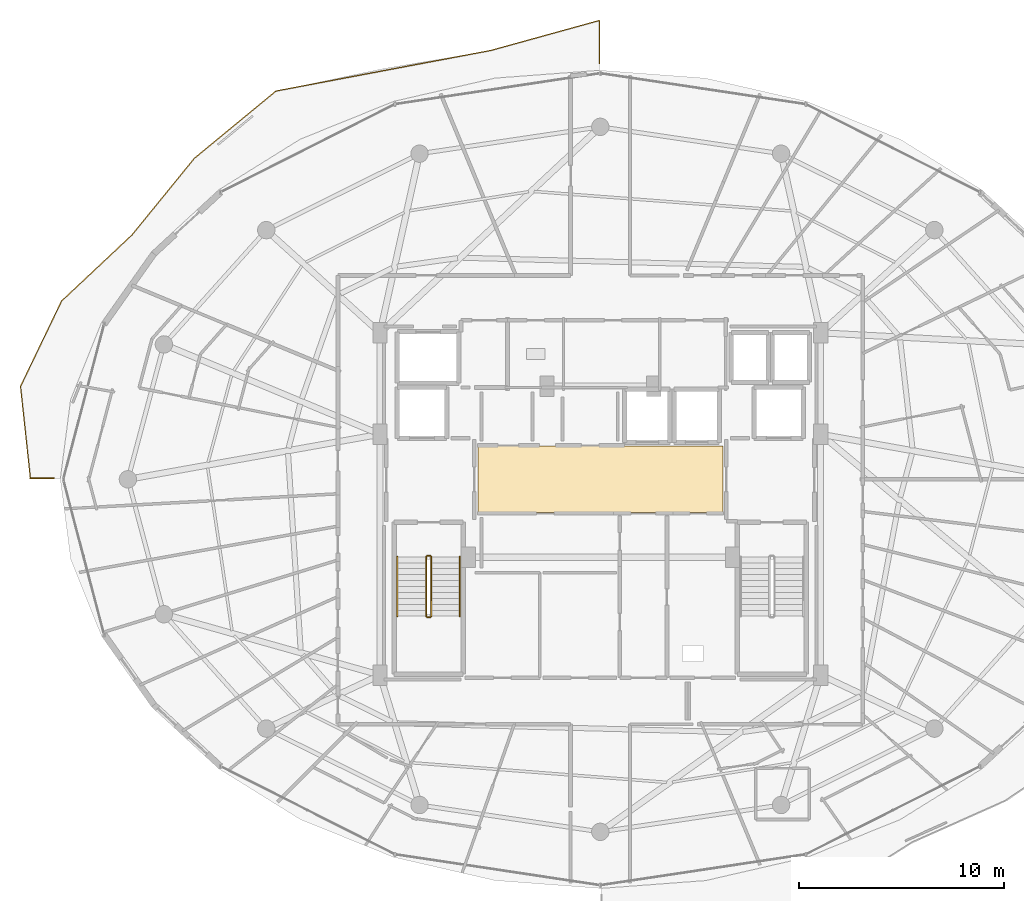
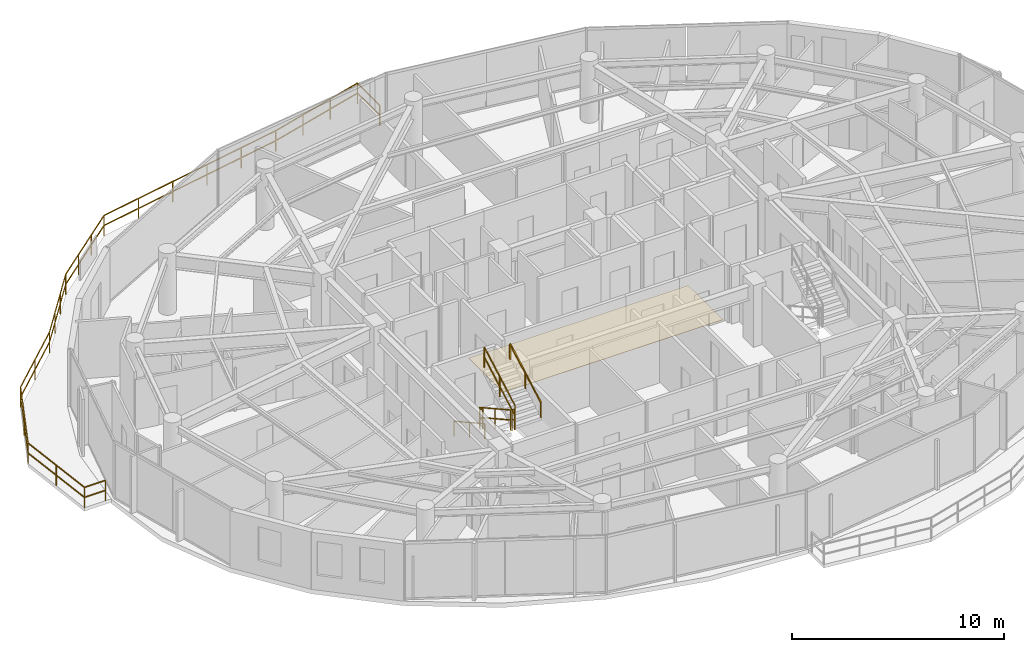
# One storey, part 27 of 30: 8 railings, 1 covering.
"""IFC4 building model written with IfcOpenShell, lengths in metres."""

from ifc_helpers import new_model, si_unit, direction, frame, origin, origin_2d, place, context, subcontext, project, spatial, polyline, rectangle, outline, extrude, material, layer, layer_set, type_object, element, save


model = new_model("IFC4")

# Units and contexts
model_context = context("Model", 3, precision=1e-05, world=origin(), true_north=direction((0.0, 1.0)))
body_context = subcontext(model_context, "Body", "Model", "MODEL_VIEW")
ifc_project = project(units=[si_unit("LENGTHUNIT", "METRE"), si_unit("AREAUNIT", "SQUARE_METRE"), si_unit("VOLUMEUNIT", "CUBIC_METRE"), si_unit("PLANEANGLEUNIT", "RADIAN"), si_unit("MASSUNIT", "GRAM", prefix="KILO")], contexts=[model_context])

# Site, building, storey
site_placement = place(None, origin())
site = spatial("IfcSite", under=ifc_project, at=site_placement, CompositionType="ELEMENT")
building_placement = place(site_placement, origin())
building = spatial("IfcBuilding", under=site, at=building_placement, Name="Vorneva Point Tower", CompositionType="ELEMENT")
storey_placement = place(building_placement, frame((0.0, 0.0, 262.64990234375)))
storey = spatial("IfcBuildingStorey", under=building, at=storey_placement, Name="L71", CompositionType="ELEMENT", Elevation=262.64990234375)

# Covering
ifc_material_1 = material(Name="Acoustic wool hospitality carpet", Category="textile")
ifc_layer = layer(ifc_material_1, 0.01806640625)
ifc_layer_set = layer_set([ifc_layer], Name="Acoustic wool hospitality carpet")
covering_type = type_object("IfcCoveringType", Name="COV-FLR-CRP", PredefinedType="FLOORING", material=ifc_layer_set)
covering_placement = place(storey_placement, frame((0.0, 0.0, -0.0048828125)))
element("IfcCovering", 1, at=covering_placement, inside=storey, type_object=covering_type, Name="L71 Lift Lobby Floor Finish", PredefinedType="FLOORING", context=body_context, shape_type="SweptSolid", body=[
    extrude(outline(polyline([(32.02001953125, 24.3701171875), (43.97998046875, 24.3701171875), (43.97998046875, 27.6298828125), (32.02001953125, 27.6298828125), (32.02001953125, 24.3701171875)])), origin(), (0.0, 0.0, 1.0), 0.02294921875),
])

# Railings
ifc_material_2 = material(Name="Pale anodised aluminium", Category="aluminium")
railing_type_1 = type_object("IfcRailingType", Name="RL-BAL-1200", PredefinedType="BALUSTRADE", material=ifc_material_2)
railing_1_placement = place(storey_placement, frame((10.189697265625, 26.050048828125, 0.0)))
element("IfcRailing", 2, at=railing_1_placement, inside=storey, type_object=railing_type_1, Name="L71 Wave Balcony Balustrade NW.1", PredefinedType="BALUSTRADE", context=body_context, shape_type="SweptSolid", body=[
    extrude(rectangle(XDim=0.048095703125, YDim=0.048095703125, at=origin_2d()), frame((0.0, 0.0, 1.17578125), z_axis=(1.0, 0.0, 0.0), x_axis=(0.0, 1.0, 0.0)), (0.0, 0.0, 1.0), 1.14404296875),
    extrude(rectangle(XDim=0.048095703125, YDim=0.048095703125, at=origin_2d()), frame((0.0, 0.0, 0.60009765625), z_axis=(1.0, 0.0, 0.0), x_axis=(0.0, 1.0, 0.0)), (0.0, 0.0, 1.0), 1.14404296875),
    extrude(rectangle(XDim=0.0419921875, YDim=0.0419921875, at=origin_2d()), origin(), (0.0, 0.0, 1.0), 1.15185546875),
    extrude(rectangle(XDim=0.0419921875, YDim=0.0419921875, at=origin_2d()), frame((1.14404296875, 0.0, 0.0)), (0.0, 0.0, 1.0), 1.15185546875),
])
railing_2_placement = place(storey_placement, frame((37.949951171875, 46.277099609375, 0.0)))
element("IfcRailing", 3, at=railing_2_placement, inside=storey, type_object=railing_type_1, Name="L71 Wave Balcony Balustrade NW.2", PredefinedType="BALUSTRADE", context=body_context, shape_type="SweptSolid", body=[
    extrude(rectangle(XDim=0.048095703125, YDim=0.048095703125, at=origin_2d()), frame((0.0, 0.0, 1.17578125), z_axis=(0.0, 1.0, 0.0), x_axis=(-1.0, 0.0, 0.0)), (0.0, 0.0, 1.0), 2.114013671875),
    extrude(rectangle(XDim=0.048095703125, YDim=0.048095703125, at=origin_2d()), frame((0.0, 0.0, 0.60009765625), z_axis=(0.0, 1.0, 0.0), x_axis=(-1.0, 0.0, 0.0)), (0.0, 0.0, 1.0), 2.114013671875),
    extrude(rectangle(XDim=0.048095703125, YDim=0.048095703125, at=origin_2d()), frame((0.0, 2.114013671875, 1.17578125), z_axis=(-0.963928150656, -0.266162582594, 0.0), x_axis=(0.266162582594, -0.963928150656, 0.0)), (0.0, 0.0, 1.0), 5.49267578125),
    extrude(rectangle(XDim=0.048095703125, YDim=0.048095703125, at=origin_2d()), frame((0.0, 2.114013671875, 0.60009765625), z_axis=(-0.963928150656, -0.266162582594, 0.0), x_axis=(0.266162582594, -0.963928150656, 0.0)), (0.0, 0.0, 1.0), 5.49267578125),
    extrude(rectangle(XDim=0.048095703125, YDim=0.048095703125, at=origin_2d()), frame((-5.29443359375, 0.652099609375, 1.17578125), z_axis=(-0.982621597908, -0.185620029427, 0.0), x_axis=(0.185620029427, -0.982621597908, 0.0)), (0.0, 0.0, 1.0), 10.6708984375),
    extrude(rectangle(XDim=0.048095703125, YDim=0.048095703125, at=origin_2d()), frame((-5.29443359375, 0.652099609375, 0.60009765625), z_axis=(-0.982621597908, -0.185620029427, 0.0), x_axis=(0.185620029427, -0.982621597908, 0.0)), (0.0, 0.0, 1.0), 10.6708984375),
    extrude(rectangle(XDim=0.048095703125, YDim=0.048095703125, at=origin_2d()), frame((-15.77978515625, -1.32861328125, 1.17578125), z_axis=(-0.771678755272, -0.636012498825, 0.0), x_axis=(0.636012498825, -0.771678755272, 0.0)), (0.0, 0.0, 1.0), 5.157470703125),
    extrude(rectangle(XDim=0.048095703125, YDim=0.048095703125, at=origin_2d()), frame((-15.77978515625, -1.32861328125, 0.60009765625), z_axis=(-0.771678755272, -0.636012498825, 0.0), x_axis=(0.636012498825, -0.771678755272, 0.0)), (0.0, 0.0, 1.0), 5.157470703125),
    extrude(rectangle(XDim=0.048095703125, YDim=0.048095703125, at=origin_2d()), frame((-19.759765625, -4.60888671875, 1.17578125), z_axis=(-0.631285549874, -0.77555048483, 0.0), x_axis=(0.77555048483, -0.631285549874, 0.0)), (0.0, 0.0, 1.0), 4.826416015625),
    extrude(rectangle(XDim=0.048095703125, YDim=0.048095703125, at=origin_2d()), frame((-19.759765625, -4.60888671875, 0.60009765625), z_axis=(-0.631285549874, -0.77555048483, 0.0), x_axis=(0.77555048483, -0.631285549874, 0.0)), (0.0, 0.0, 1.0), 4.826416015625),
    extrude(rectangle(XDim=0.048095703125, YDim=0.048095703125, at=origin_2d()), frame((-22.806640625, -8.35205078125, 1.17578125), z_axis=(-0.729149057103, -0.684354917076, 0.0), x_axis=(0.684354917076, -0.729149057103, 0.0)), (0.0, 0.0, 1.0), 4.708984375),
    extrude(rectangle(XDim=0.048095703125, YDim=0.048095703125, at=origin_2d()), frame((-22.806640625, -8.35205078125, 0.60009765625), z_axis=(-0.729149057103, -0.684354917076, 0.0), x_axis=(0.684354917076, -0.729149057103, 0.0)), (0.0, 0.0, 1.0), 4.708984375),
    extrude(rectangle(XDim=0.048095703125, YDim=0.048095703125, at=origin_2d()), frame((-26.240234375, -11.57470703125, 1.17578125), z_axis=(-0.433277106533, -0.90126075525, 0.0), x_axis=(0.90126075525, -0.433277106533, 0.0)), (0.0, 0.0, 1.0), 4.62158203125),
    extrude(rectangle(XDim=0.048095703125, YDim=0.048095703125, at=origin_2d()), frame((-26.240234375, -11.57470703125, 0.60009765625), z_axis=(-0.433277106533, -0.90126075525, 0.0), x_axis=(0.90126075525, -0.433277106533, 0.0)), (0.0, 0.0, 1.0), 4.62158203125),
    extrude(rectangle(XDim=0.048095703125, YDim=0.048095703125, at=origin_2d()), frame((-28.24267578125, -15.739990234375, 1.17578125), z_axis=(0.106897954968, -0.994269997145, 0.0), x_axis=(0.994269997145, 0.106897954968, 0.0)), (0.0, 0.0, 1.0), 4.512939453125),
    extrude(rectangle(XDim=0.048095703125, YDim=0.048095703125, at=origin_2d()), frame((-28.24267578125, -15.739990234375, 0.60009765625), z_axis=(0.106897954968, -0.994269997145, 0.0), x_axis=(0.994269997145, 0.106897954968, 0.0)), (0.0, 0.0, 1.0), 4.512939453125),
    extrude(rectangle(XDim=0.0419921875, YDim=0.0419921875, at=origin_2d()), origin(), (0.0, 0.0, 1.0), 1.15185546875),
    extrude(rectangle(XDim=0.0419921875, YDim=0.0419921875, at=origin_2d()), frame((0.0, 2.114013671875, 0.0)), (0.0, 0.0, 1.0), 1.15185546875),
    extrude(rectangle(XDim=0.0419921875, YDim=0.0419921875, at=origin_2d()), frame((-1.764892578125, 1.626708984375, 0.0)), (0.0, 0.0, 1.0), 1.15185546875),
    extrude(rectangle(XDim=0.0419921875, YDim=0.0419921875, at=origin_2d()), frame((-3.529541015625, 1.139404296875, 0.0)), (0.0, 0.0, 1.0), 1.15185546875),
    extrude(rectangle(XDim=0.0419921875, YDim=0.0419921875, at=origin_2d()), frame((-5.29443359375, 0.652099609375, 0.0)), (0.0, 0.0, 1.0), 1.15185546875),
    extrude(rectangle(XDim=0.0419921875, YDim=0.0419921875, at=origin_2d()), frame((-7.3916015625, 0.255859375, 0.0)), (0.0, 0.0, 1.0), 1.15185546875),
    extrude(rectangle(XDim=0.0419921875, YDim=0.0419921875, at=origin_2d()), frame((-9.488525390625, -0.14013671875, 0.0)), (0.0, 0.0, 1.0), 1.15185546875),
    extrude(rectangle(XDim=0.0419921875, YDim=0.0419921875, at=origin_2d()), frame((-11.585693359375, -0.536376953125, 0.0)), (0.0, 0.0, 1.0), 1.15185546875),
    extrude(rectangle(XDim=0.0419921875, YDim=0.0419921875, at=origin_2d()), frame((-13.6826171875, -0.932373046875, 0.0)), (0.0, 0.0, 1.0), 1.15185546875),
    extrude(rectangle(XDim=0.0419921875, YDim=0.0419921875, at=origin_2d()), frame((-15.77978515625, -1.32861328125, 0.0)), (0.0, 0.0, 1.0), 1.15185546875),
    extrude(rectangle(XDim=0.0419921875, YDim=0.0419921875, at=origin_2d()), frame((-17.1064453125, -2.422119140625, 0.0)), (0.0, 0.0, 1.0), 1.15185546875),
    extrude(rectangle(XDim=0.0419921875, YDim=0.0419921875, at=origin_2d()), frame((-18.43310546875, -3.515380859375, 0.0)), (0.0, 0.0, 1.0), 1.15185546875),
    extrude(rectangle(XDim=0.0419921875, YDim=0.0419921875, at=origin_2d()), frame((-19.759765625, -4.60888671875, 0.0)), (0.0, 0.0, 1.0), 1.15185546875),
    extrude(rectangle(XDim=0.0419921875, YDim=0.0419921875, at=origin_2d()), frame((-20.775390625, -5.856689453125, 0.0)), (0.0, 0.0, 1.0), 1.15185546875),
    extrude(rectangle(XDim=0.0419921875, YDim=0.0419921875, at=origin_2d()), frame((-21.791015625, -7.104248046875, 0.0)), (0.0, 0.0, 1.0), 1.15185546875),
    extrude(rectangle(XDim=0.0419921875, YDim=0.0419921875, at=origin_2d()), frame((-22.806640625, -8.35205078125, 0.0)), (0.0, 0.0, 1.0), 1.15185546875),
    extrude(rectangle(XDim=0.0419921875, YDim=0.0419921875, at=origin_2d()), frame((-24.5234375, -9.96337890625, 0.0)), (0.0, 0.0, 1.0), 1.15185546875),
    extrude(rectangle(XDim=0.0419921875, YDim=0.0419921875, at=origin_2d()), frame((-26.240234375, -11.57470703125, 0.0)), (0.0, 0.0, 1.0), 1.15185546875),
    extrude(rectangle(XDim=0.0419921875, YDim=0.0419921875, at=origin_2d()), frame((-27.241455078125, -13.6572265625, 0.0)), (0.0, 0.0, 1.0), 1.15185546875),
    extrude(rectangle(XDim=0.0419921875, YDim=0.0419921875, at=origin_2d()), frame((-28.24267578125, -15.739990234375, 0.0)), (0.0, 0.0, 1.0), 1.15185546875),
    extrude(rectangle(XDim=0.0419921875, YDim=0.0419921875, at=origin_2d()), frame((-28.00146484375, -17.9833984375, 0.0)), (0.0, 0.0, 1.0), 1.15185546875),
    extrude(rectangle(XDim=0.0419921875, YDim=0.0419921875, at=origin_2d()), frame((-27.76025390625, -20.22705078125, 0.0)), (0.0, 0.0, 1.0), 1.15185546875),
])
ifc_material_3 = material(Name="Brushed stainless steel S304", Category="steel")
railing_type_2 = type_object("IfcRailingType", Name="RL-HND-920", PredefinedType="HANDRAIL", material=ifc_material_3)
railing_3_placement = place(storey_placement, frame((28.10009765625, 22.219970703125, 0.161376953125)))
element("IfcRailing", 4, at=railing_3_placement, inside=storey, type_object=railing_type_2, Name="L71 ST1 stair handrail 1", PredefinedType="HANDRAIL", context=body_context, shape_type="SweptSolid", body=[
    extrude(rectangle(XDim=0.048095703125, YDim=0.048095703125, at=origin_2d()), frame((0.0, 0.0, 0.8759765625), z_axis=(0.0, -0.873810046276, 0.486267419253), x_axis=(1.0, 0.0, 0.0)), (0.0, 0.0, 1.0), 3.318603515625),
    extrude(rectangle(XDim=0.0419921875, YDim=0.0419921875, at=origin_2d()), origin(), (0.0, 0.0, 1.0), 0.851806640625),
    extrude(rectangle(XDim=0.0419921875, YDim=0.0419921875, at=origin_2d()), frame((0.0, -1.449951171875, 0.806884765625)), (0.0, 0.0, 1.0), 0.851806640625),
    extrude(rectangle(XDim=0.0419921875, YDim=0.0419921875, at=origin_2d()), frame((0.0, -2.89990234375, 1.61376953125)), (0.0, 0.0, 1.0), 0.851806640625),
])
railing_4_placement = place(storey_placement, frame((31.14990234375, 19.320068359375, 1.9365234375)))
element("IfcRailing", 5, at=railing_4_placement, inside=storey, type_object=railing_type_2, Name="L71 ST1 stair handrail 2", PredefinedType="HANDRAIL", context=body_context, shape_type="SweptSolid", body=[
    extrude(rectangle(XDim=0.048095703125, YDim=0.048095703125, at=origin_2d()), frame((0.0, 0.0, 0.8759765625), z_axis=(0.0, 0.873841303929, 0.486211245805), x_axis=(-1.0, 0.0, 0.0)), (0.0, 0.0, 1.0), 3.318603515625),
    extrude(rectangle(XDim=0.0419921875, YDim=0.0419921875, at=origin_2d()), origin(), (0.0, 0.0, 1.0), 0.851806640625),
    extrude(rectangle(XDim=0.0419921875, YDim=0.0419921875, at=origin_2d()), frame((0.0, 1.449951171875, 0.806640625)), (0.0, 0.0, 1.0), 0.851806640625),
    extrude(rectangle(XDim=0.0419921875, YDim=0.0419921875, at=origin_2d()), frame((0.0, 2.89990234375, 1.613525390625)), (0.0, 0.0, 1.0), 0.851806640625),
])
railing_type_3 = type_object("IfcRailingType", Name="RL-STG-1100", PredefinedType="GUARDRAIL", material=ifc_material_3)
railing_5_placement = place(storey_placement, frame((29.5, 22.219970703125, 0.161376953125)))
element("IfcRailing", 6, at=railing_5_placement, inside=storey, type_object=railing_type_3, Name="L71 ST1 stair guard 1", PredefinedType="GUARDRAIL", context=body_context, shape_type="SweptSolid", body=[
    extrude(rectangle(XDim=0.048095703125, YDim=0.048095703125, at=origin_2d()), frame((0.0, 0.0, 1.17578125), z_axis=(0.0, -0.873810046276, 0.486267419253), x_axis=(1.0, 0.0, 0.0)), (0.0, 0.0, 1.0), 3.318603515625),
    extrude(rectangle(XDim=0.048095703125, YDim=0.048095703125, at=origin_2d()), frame((0.0, 0.0, 0.60009765625), z_axis=(0.0, -0.873810046276, 0.486267419253), x_axis=(1.0, 0.0, 0.0)), (0.0, 0.0, 1.0), 3.318603515625),
    extrude(rectangle(XDim=0.0419921875, YDim=0.0419921875, at=origin_2d()), origin(), (0.0, 0.0, 1.0), 1.15185546875),
    extrude(rectangle(XDim=0.0419921875, YDim=0.0419921875, at=origin_2d()), frame((0.0, -1.449951171875, 0.806884765625)), (0.0, 0.0, 1.0), 1.15185546875),
    extrude(rectangle(XDim=0.0419921875, YDim=0.0419921875, at=origin_2d()), frame((0.0, -2.89990234375, 1.61376953125)), (0.0, 0.0, 1.0), 1.15185546875),
])
railing_6_placement = place(storey_placement, frame((29.550048828125, 19.27001953125, 1.775146484375)))
element("IfcRailing", 7, at=railing_6_placement, inside=storey, type_object=railing_type_3, Name="L71 ST1 stair guard 2", PredefinedType="GUARDRAIL", context=body_context, shape_type="SweptSolid", body=[
    extrude(rectangle(XDim=0.048095703125, YDim=0.048095703125, at=origin_2d()), frame((0.0, 0.0, 1.17578125), z_axis=(1.0, 0.0, 0.0), x_axis=(0.0, 1.0, 0.0)), (0.0, 0.0, 1.0), 0.14990234375),
    extrude(rectangle(XDim=0.048095703125, YDim=0.048095703125, at=origin_2d()), frame((0.0, 0.0, 0.60009765625), z_axis=(1.0, 0.0, 0.0), x_axis=(0.0, 1.0, 0.0)), (0.0, 0.0, 1.0), 0.14990234375),
    extrude(rectangle(XDim=0.0419921875, YDim=0.0419921875, at=origin_2d()), origin(), (0.0, 0.0, 1.0), 1.15185546875),
    extrude(rectangle(XDim=0.0419921875, YDim=0.0419921875, at=origin_2d()), frame((0.14990234375, 0.0, 0.0)), (0.0, 0.0, 1.0), 1.15185546875),
])
railing_7_placement = place(storey_placement, frame((29.75, 19.320068359375, 1.9365234375)))
element("IfcRailing", 8, at=railing_7_placement, inside=storey, type_object=railing_type_3, Name="L71 ST1 stair guard 3", PredefinedType="GUARDRAIL", context=body_context, shape_type="SweptSolid", body=[
    extrude(rectangle(XDim=0.048095703125, YDim=0.048095703125, at=origin_2d()), frame((0.0, 0.0, 1.17578125), z_axis=(0.0, 0.873841303929, 0.486211245805), x_axis=(-1.0, 0.0, 0.0)), (0.0, 0.0, 1.0), 3.318603515625),
    extrude(rectangle(XDim=0.048095703125, YDim=0.048095703125, at=origin_2d()), frame((0.0, 0.0, 0.60009765625), z_axis=(0.0, 0.873841303929, 0.486211245805), x_axis=(-1.0, 0.0, 0.0)), (0.0, 0.0, 1.0), 3.318603515625),
    extrude(rectangle(XDim=0.0419921875, YDim=0.0419921875, at=origin_2d()), origin(), (0.0, 0.0, 1.0), 1.15185546875),
    extrude(rectangle(XDim=0.0419921875, YDim=0.0419921875, at=origin_2d()), frame((0.0, 1.449951171875, 0.806640625)), (0.0, 0.0, 1.0), 1.15185546875),
    extrude(rectangle(XDim=0.0419921875, YDim=0.0419921875, at=origin_2d()), frame((0.0, 2.89990234375, 1.613525390625)), (0.0, 0.0, 1.0), 1.15185546875),
])
railing_8_placement = place(storey_placement, frame((29.550048828125, 22.27001953125, 0.0)))
element("IfcRailing", 9, at=railing_8_placement, inside=storey, type_object=railing_type_3, Name="L71 ST1 stair guard 4", PredefinedType="GUARDRAIL", context=body_context, shape_type="SweptSolid", body=[
    extrude(rectangle(XDim=0.048095703125, YDim=0.048095703125, at=origin_2d()), frame((0.0, 0.0, 1.17578125), z_axis=(1.0, 0.0, 0.0), x_axis=(0.0, 1.0, 0.0)), (0.0, 0.0, 1.0), 0.14990234375),
    extrude(rectangle(XDim=0.048095703125, YDim=0.048095703125, at=origin_2d()), frame((0.0, 0.0, 0.60009765625), z_axis=(1.0, 0.0, 0.0), x_axis=(0.0, 1.0, 0.0)), (0.0, 0.0, 1.0), 0.14990234375),
    extrude(rectangle(XDim=0.0419921875, YDim=0.0419921875, at=origin_2d()), origin(), (0.0, 0.0, 1.0), 1.15185546875),
    extrude(rectangle(XDim=0.0419921875, YDim=0.0419921875, at=origin_2d()), frame((0.14990234375, 0.0, 0.0)), (0.0, 0.0, 1.0), 1.15185546875),
])

save(model, "model.ifc")
